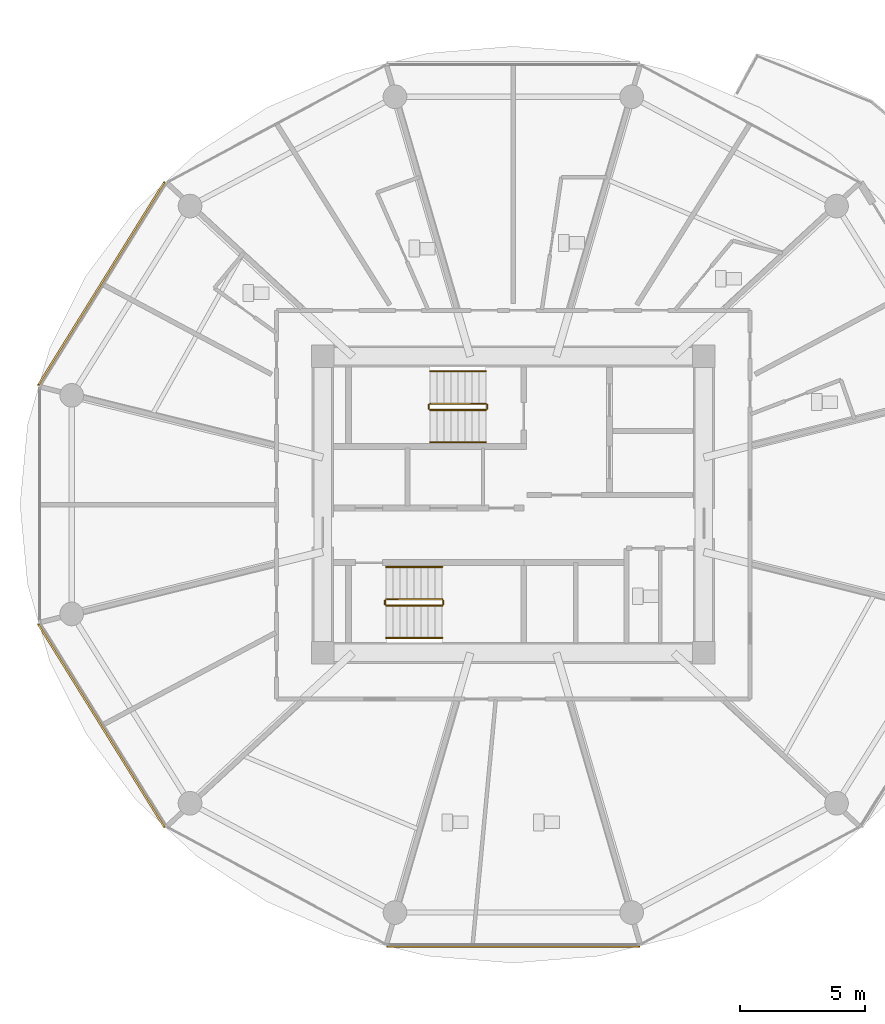
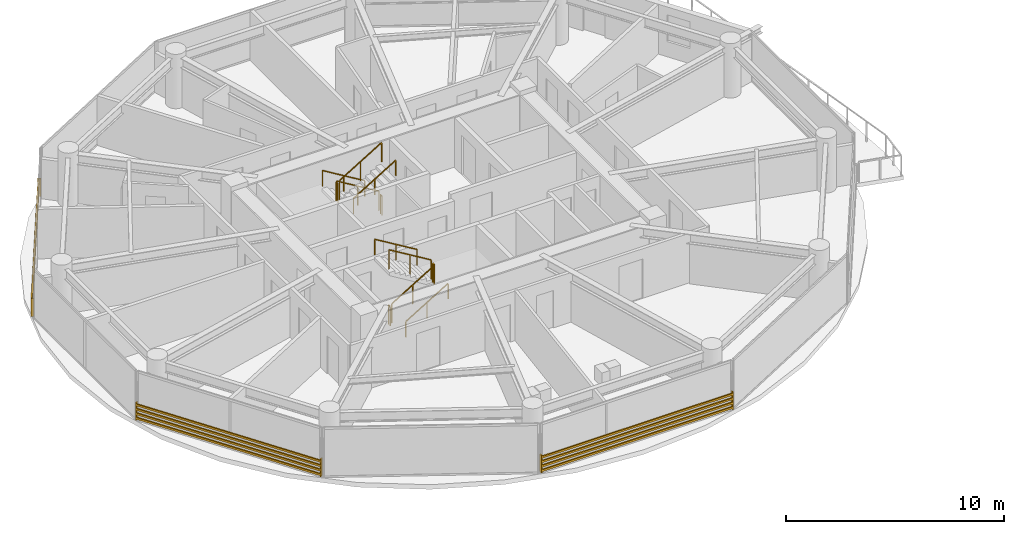
# One storey, part 22 of 26: 12 railings, 3 shading devices.
"""IFC4 building model written with IfcOpenShell, lengths in metres."""

from ifc_helpers import new_model, si_unit, direction, frame, origin, origin_2d, place, context, subcontext, project, spatial, rectangle, extrude, source, transform, mapped, material, type_object, type_shapes, element, save


model = new_model("IFC4")

# Units and contexts
model_context = context("Model", 3, precision=1e-05, world=origin(), true_north=direction((0.0, 1.0)))
body_context = subcontext(model_context, "Body", "Model", "MODEL_VIEW")
ifc_project = project(units=[si_unit("LENGTHUNIT", "METRE"), si_unit("AREAUNIT", "SQUARE_METRE"), si_unit("VOLUMEUNIT", "CUBIC_METRE"), si_unit("PLANEANGLEUNIT", "RADIAN"), si_unit("MASSUNIT", "GRAM", prefix="KILO")], contexts=[model_context])

# Site, building, storey
site_placement = place(None, origin())
site = spatial("IfcSite", under=ifc_project, at=site_placement, CompositionType="ELEMENT")
building_placement = place(site_placement, origin())
building = spatial("IfcBuilding", under=site, at=building_placement, Name="Norrkilde Senior Care Towers", CompositionType="ELEMENT")
storey_placement = place(building_placement, frame((0.0, 0.0, 67.35009765625)))
storey = spatial("IfcBuildingStorey", under=building, at=storey_placement, Name="L20", CompositionType="ELEMENT", Elevation=67.35009765625)

# Railings
ifc_material_1 = material(Name="Stainless Steel", Category="steel")
railing_type_1 = type_object("IfcRailingType", Name="Stair and Terrace Guardrail 1100", PredefinedType="GUARDRAIL", material=ifc_material_1)
railing_1_placement = place(storey_placement, frame((-29.10009765625, 4.050048828125, 0.16943359375)))
element("IfcRailing", 1, at=railing_1_placement, inside=storey, type_object=railing_type_1, Name="L20 ST-W1 stair guard 1", PredefinedType="GUARDRAIL", context=body_context, shape_type="SweptSolid", body=[
    extrude(rectangle(XDim=0.048095703125, YDim=0.048095703125, at=origin_2d()), frame((0.0, 0.0, 1.076171875), z_axis=(-0.855553338991, 0.0, 0.51771467445), x_axis=(0.0, -1.0, 0.0)), (0.0, 0.0, 1.0), 2.6181640625),
    extrude(rectangle(XDim=0.0419921875, YDim=0.0419921875, at=origin_2d()), origin(), (0.0, 0.0, 1.0), 1.050048828125),
    extrude(rectangle(XDim=0.0419921875, YDim=0.0419921875, at=origin_2d()), frame((-1.1201171875, 0.0, 0.677734375)), (0.0, 0.0, 1.0), 1.050048828125),
    extrude(rectangle(XDim=0.0419921875, YDim=0.0419921875, at=origin_2d()), frame((-2.239990234375, 0.0, 1.35546875)), (0.0, 0.0, 1.0), 1.050048828125),
])
railing_2_placement = place(storey_placement, frame((-31.389892578125, 4.0, 1.52490234375)))
element("IfcRailing", 2, at=railing_2_placement, inside=storey, type_object=railing_type_1, Name="L20 ST-W1 stair guard 2", PredefinedType="GUARDRAIL", context=body_context, shape_type="SweptSolid", body=[
    extrude(rectangle(XDim=0.048095703125, YDim=0.048095703125, at=origin_2d()), frame((0.0, 0.0, 1.076171875), z_axis=(0.0, -1.0, 0.0), x_axis=(1.0, 0.0, 0.0)), (0.0, 0.0, 1.0), 0.14990234375),
    extrude(rectangle(XDim=0.0419921875, YDim=0.0419921875, at=origin_2d()), origin(), (0.0, 0.0, 1.0), 1.050048828125),
    extrude(rectangle(XDim=0.0419921875, YDim=0.0419921875, at=origin_2d()), frame((0.0, -0.14990234375, 0.0)), (0.0, 0.0, 1.0), 1.050048828125),
])
railing_3_placement = place(storey_placement, frame((-31.340087890625, 3.800048828125, 1.6943359375)))
element("IfcRailing", 3, at=railing_3_placement, inside=storey, type_object=railing_type_1, Name="L20 ST-W1 stair guard 3", PredefinedType="GUARDRAIL", context=body_context, shape_type="SweptSolid", body=[
    extrude(rectangle(XDim=0.048095703125, YDim=0.048095703125, at=origin_2d()), frame((0.0, 0.0, 1.076171875), z_axis=(0.855553338991, 0.0, 0.51771467445), x_axis=(0.0, 1.0, 0.0)), (0.0, 0.0, 1.0), 2.6181640625),
    extrude(rectangle(XDim=0.0419921875, YDim=0.0419921875, at=origin_2d()), origin(), (0.0, 0.0, 1.0), 1.050048828125),
    extrude(rectangle(XDim=0.0419921875, YDim=0.0419921875, at=origin_2d()), frame((1.1201171875, 0.0, 0.677734375)), (0.0, 0.0, 1.0), 1.050048828125),
    extrude(rectangle(XDim=0.0419921875, YDim=0.0419921875, at=origin_2d()), frame((2.239990234375, 0.0, 1.35546875)), (0.0, 0.0, 1.0), 1.050048828125),
])
railing_4_placement = place(storey_placement, frame((-29.050048828125, 4.0, 0.0)))
element("IfcRailing", 4, at=railing_4_placement, inside=storey, type_object=railing_type_1, Name="L20 ST-W1 stair guard 4", PredefinedType="GUARDRAIL", context=body_context, shape_type="SweptSolid", body=[
    extrude(rectangle(XDim=0.048095703125, YDim=0.048095703125, at=origin_2d()), frame((0.0, 0.0, 1.076171875), z_axis=(0.0, -1.0, 0.0), x_axis=(1.0, 0.0, 0.0)), (0.0, 0.0, 1.0), 0.14990234375),
    extrude(rectangle(XDim=0.0419921875, YDim=0.0419921875, at=origin_2d()), origin(), (0.0, 0.0, 1.0), 1.050048828125),
    extrude(rectangle(XDim=0.0419921875, YDim=0.0419921875, at=origin_2d()), frame((0.0, -0.14990234375, 0.0)), (0.0, 0.0, 1.0), 1.050048828125),
])
railing_5_placement = place(storey_placement, frame((-33.10009765625, -4.050048828125, 0.16943359375)))
element("IfcRailing", 5, at=railing_5_placement, inside=storey, type_object=railing_type_1, Name="L20 ST-W2 stair guard 1", PredefinedType="GUARDRAIL", context=body_context, shape_type="SweptSolid", body=[
    extrude(rectangle(XDim=0.048095703125, YDim=0.048095703125, at=origin_2d()), frame((0.0, 0.0, 1.076171875), z_axis=(0.855553338991, 0.0, 0.51771467445), x_axis=(0.0, 1.0, 0.0)), (0.0, 0.0, 1.0), 2.6181640625),
    extrude(rectangle(XDim=0.0419921875, YDim=0.0419921875, at=origin_2d()), origin(), (0.0, 0.0, 1.0), 1.050048828125),
    extrude(rectangle(XDim=0.0419921875, YDim=0.0419921875, at=origin_2d()), frame((1.1201171875, 0.0, 0.677734375)), (0.0, 0.0, 1.0), 1.050048828125),
    extrude(rectangle(XDim=0.0419921875, YDim=0.0419921875, at=origin_2d()), frame((2.239990234375, 0.0, 1.35546875)), (0.0, 0.0, 1.0), 1.050048828125),
])
railing_6_placement = place(storey_placement, frame((-30.81005859375, -4.0, 1.52490234375)))
element("IfcRailing", 6, at=railing_6_placement, inside=storey, type_object=railing_type_1, Name="L20 ST-W2 stair guard 2", PredefinedType="GUARDRAIL", context=body_context, shape_type="SweptSolid", body=[
    extrude(rectangle(XDim=0.048095703125, YDim=0.048095703125, at=origin_2d()), frame((0.0, 0.0, 1.076171875), z_axis=(0.0, 1.0, 0.0), x_axis=(-1.0, 0.0, 0.0)), (0.0, 0.0, 1.0), 0.14990234375),
    extrude(rectangle(XDim=0.0419921875, YDim=0.0419921875, at=origin_2d()), origin(), (0.0, 0.0, 1.0), 1.050048828125),
    extrude(rectangle(XDim=0.0419921875, YDim=0.0419921875, at=origin_2d()), frame((0.0, 0.14990234375, 0.0)), (0.0, 0.0, 1.0), 1.050048828125),
])
railing_7_placement = place(storey_placement, frame((-30.860107421875, -3.800048828125, 1.6943359375)))
element("IfcRailing", 7, at=railing_7_placement, inside=storey, type_object=railing_type_1, Name="L20 ST-W2 stair guard 3", PredefinedType="GUARDRAIL", context=body_context, shape_type="SweptSolid", body=[
    extrude(rectangle(XDim=0.048095703125, YDim=0.048095703125, at=origin_2d()), frame((0.0, 0.0, 1.076171875), z_axis=(-0.855553338991, 0.0, 0.51771467445), x_axis=(0.0, -1.0, 0.0)), (0.0, 0.0, 1.0), 2.6181640625),
    extrude(rectangle(XDim=0.0419921875, YDim=0.0419921875, at=origin_2d()), origin(), (0.0, 0.0, 1.0), 1.050048828125),
    extrude(rectangle(XDim=0.0419921875, YDim=0.0419921875, at=origin_2d()), frame((-1.1201171875, 0.0, 0.677734375)), (0.0, 0.0, 1.0), 1.050048828125),
    extrude(rectangle(XDim=0.0419921875, YDim=0.0419921875, at=origin_2d()), frame((-2.239990234375, 0.0, 1.35546875)), (0.0, 0.0, 1.0), 1.050048828125),
])
railing_8_placement = place(storey_placement, frame((-33.14990234375, -4.0, 0.0)))
element("IfcRailing", 8, at=railing_8_placement, inside=storey, type_object=railing_type_1, Name="L20 ST-W2 stair guard 4", PredefinedType="GUARDRAIL", context=body_context, shape_type="SweptSolid", body=[
    extrude(rectangle(XDim=0.048095703125, YDim=0.048095703125, at=origin_2d()), frame((0.0, 0.0, 1.076171875), z_axis=(0.0, 1.0, 0.0), x_axis=(-1.0, 0.0, 0.0)), (0.0, 0.0, 1.0), 0.14990234375),
    extrude(rectangle(XDim=0.0419921875, YDim=0.0419921875, at=origin_2d()), origin(), (0.0, 0.0, 1.0), 1.050048828125),
    extrude(rectangle(XDim=0.0419921875, YDim=0.0419921875, at=origin_2d()), frame((0.0, 0.14990234375, 0.0)), (0.0, 0.0, 1.0), 1.050048828125),
])
ifc_material_2 = material(Name="Nordic Ash Timber", Category="wood")
railing_type_2 = type_object("IfcRailingType", Name="Wall and Stair Handrail 900", PredefinedType="HANDRAIL", material=ifc_material_2)
railing_9_placement = place(storey_placement, frame((-29.10009765625, 5.35009765625, 0.16943359375)))
element("IfcRailing", 9, at=railing_9_placement, inside=storey, type_object=railing_type_2, Name="L20 ST-W1 stair handrail 1", PredefinedType="HANDRAIL", context=body_context, shape_type="SweptSolid", body=[
    extrude(rectangle(XDim=0.048095703125, YDim=0.048095703125, at=origin_2d()), frame((0.0, 0.0, 0.8759765625), z_axis=(-0.855553338991, 0.0, 0.51771467445), x_axis=(0.0, -1.0, 0.0)), (0.0, 0.0, 1.0), 2.6181640625),
    extrude(rectangle(XDim=0.0419921875, YDim=0.0419921875, at=origin_2d()), origin(), (0.0, 0.0, 1.0), 0.849853515625),
    extrude(rectangle(XDim=0.0419921875, YDim=0.0419921875, at=origin_2d()), frame((-1.1201171875, 0.0, 0.677734375)), (0.0, 0.0, 1.0), 0.849853515625),
    extrude(rectangle(XDim=0.0419921875, YDim=0.0419921875, at=origin_2d()), frame((-2.239990234375, 0.0, 1.35546875)), (0.0, 0.0, 1.0), 0.849853515625),
])
for number, where, name in (
    (10, (-31.340087890625, 2.5, 1.6943359375), "L20 ST-W1 stair handrail 2"),
    (11, (-33.10009765625, -5.35009765625, 0.16943359375), "L20 ST-W2 stair handrail 1"),
):
    element("IfcRailing", number, at=place(storey_placement, frame(where)), inside=storey, type_object=railing_type_2, Name=name, PredefinedType="HANDRAIL", context=body_context, shape_type="SweptSolid", body=[
        extrude(rectangle(XDim=0.048095703125, YDim=0.048095703125, at=origin_2d()), frame((0.0, 0.0, 0.8759765625), z_axis=(0.855553338991, 0.0, 0.51771467445), x_axis=(0.0, 1.0, 0.0)), (0.0, 0.0, 1.0), 2.6181640625),
        extrude(rectangle(XDim=0.0419921875, YDim=0.0419921875, at=origin_2d()), origin(), (0.0, 0.0, 1.0), 0.849853515625),
        extrude(rectangle(XDim=0.0419921875, YDim=0.0419921875, at=origin_2d()), frame((1.1201171875, 0.0, 0.677734375)), (0.0, 0.0, 1.0), 0.849853515625),
        extrude(rectangle(XDim=0.0419921875, YDim=0.0419921875, at=origin_2d()), frame((2.239990234375, 0.0, 1.35546875)), (0.0, 0.0, 1.0), 0.849853515625),
    ])
railing_10_placement = place(storey_placement, frame((-30.860107421875, -2.5, 1.6943359375)))
element("IfcRailing", 12, at=railing_10_placement, inside=storey, type_object=railing_type_2, Name="L20 ST-W2 stair handrail 2", PredefinedType="HANDRAIL", context=body_context, shape_type="SweptSolid", body=[
    extrude(rectangle(XDim=0.048095703125, YDim=0.048095703125, at=origin_2d()), frame((0.0, 0.0, 0.8759765625), z_axis=(-0.855553338991, 0.0, 0.51771467445), x_axis=(0.0, -1.0, 0.0)), (0.0, 0.0, 1.0), 2.6181640625),
    extrude(rectangle(XDim=0.0419921875, YDim=0.0419921875, at=origin_2d()), origin(), (0.0, 0.0, 1.0), 0.849853515625),
    extrude(rectangle(XDim=0.0419921875, YDim=0.0419921875, at=origin_2d()), frame((-1.1201171875, 0.0, 0.677734375)), (0.0, 0.0, 1.0), 0.849853515625),
    extrude(rectangle(XDim=0.0419921875, YDim=0.0419921875, at=origin_2d()), frame((-2.239990234375, 0.0, 1.35546875)), (0.0, 0.0, 1.0), 0.849853515625),
])

# Shading devices
ifc_material_3 = material(Name="Architectural Terracotta", Category="masonry")
shading_device_type = type_object("IfcShadingDeviceType", Name="Horizontal Terracotta Baguette Rack", PredefinedType="USERDEFINED", material=ifc_material_3)
shared_shape_1 = source(origin(), body_context, "Body", "SweptSolid", [
    extrude(rectangle(XDim=0.070068359375, YDim=0.110107421875, at=origin_2d()), frame((0.0, 0.090087890625, 0.125), z_axis=(1.0, 0.0, 0.0), x_axis=(0.0, 1.0, 0.0)), (0.0, 0.0, 1.0), 9.64892578125),
    extrude(rectangle(XDim=0.070068359375, YDim=0.110107421875, at=origin_2d()), frame((0.0, 0.090087890625, 0.375), z_axis=(1.0, 0.0, 0.0), x_axis=(0.0, 1.0, 0.0)), (0.0, 0.0, 1.0), 9.64892578125),
    extrude(rectangle(XDim=0.070068359375, YDim=0.110107421875, at=origin_2d()), frame((0.0, 0.090087890625, 0.625), z_axis=(1.0, 0.0, 0.0), x_axis=(0.0, 1.0, 0.0)), (0.0, 0.0, 1.0), 9.64892578125),
    extrude(rectangle(XDim=0.070068359375, YDim=0.110107421875, at=origin_2d()), frame((0.0, 0.090087890625, 0.875), z_axis=(1.0, 0.0, 0.0), x_axis=(0.0, 1.0, 0.0)), (0.0, 0.0, 1.0), 9.64892578125),
    extrude(rectangle(XDim=0.050048828125, YDim=0.1552734375, at=origin_2d()), frame((0.02490234375, 0.047607421875, 0.0)), (0.0, 0.0, 1.0), 1.0),
    extrude(rectangle(XDim=0.050048828125, YDim=0.1552734375, at=origin_2d()), frame((9.6240234375, 0.047607421875, 0.0)), (0.0, 0.0, 1.0), 1.0),
])
for number, where, z_axis, x_axis, name in (
    (13, (-47.009521484375, 4.731201171875, 0.079833984375), (0.0, 0.0, 1.0), (0.527908506655, 0.849299124538, 0.0), "L20 Drum W Terracotta Baguette Screen 04"),
    (14, (-41.915771484375, -12.926025390625, 0.079833984375), (0.0, 0.0, 1.0), (-0.527908506655, 0.849299124538, 0.0), "L20 Drum W Terracotta Baguette Screen 06"),
):
    element("IfcShadingDevice", number, at=place(storey_placement, frame(where, z_axis=z_axis, x_axis=x_axis)), inside=storey, type_object=shading_device_type, Name=name, ObjectType="BAGUETTE", PredefinedType="USERDEFINED", context=body_context, shape_type="MappedRepresentation", body=[
        mapped(shared_shape_1, transform((0.0, 0.0, 0.0), x_axis=(1.0, 0.0, 0.0), y_axis=(0.0, 1.0, 0.0), z_axis=(0.0, 0.0, 1.0), scale=1.0)),
    ])
shared_shape_2 = source(origin(), body_context, "Body", "SweptSolid", [
    extrude(rectangle(XDim=0.070068359375, YDim=0.110107421875, at=origin_2d()), frame((0.0, 0.090087890625, 0.125), z_axis=(1.0, 0.0, 0.0), x_axis=(0.0, 1.0, 0.0)), (0.0, 0.0, 1.0), 10.18701171875),
    extrude(rectangle(XDim=0.070068359375, YDim=0.110107421875, at=origin_2d()), frame((0.0, 0.090087890625, 0.375), z_axis=(1.0, 0.0, 0.0), x_axis=(0.0, 1.0, 0.0)), (0.0, 0.0, 1.0), 10.18701171875),
    extrude(rectangle(XDim=0.070068359375, YDim=0.110107421875, at=origin_2d()), frame((0.0, 0.090087890625, 0.625), z_axis=(1.0, 0.0, 0.0), x_axis=(0.0, 1.0, 0.0)), (0.0, 0.0, 1.0), 10.18701171875),
    extrude(rectangle(XDim=0.070068359375, YDim=0.110107421875, at=origin_2d()), frame((0.0, 0.090087890625, 0.875), z_axis=(1.0, 0.0, 0.0), x_axis=(0.0, 1.0, 0.0)), (0.0, 0.0, 1.0), 10.18701171875),
    extrude(rectangle(XDim=0.050048828125, YDim=0.1552734375, at=origin_2d()), frame((0.02490234375, 0.047607421875, 0.0)), (0.0, 0.0, 1.0), 1.0),
    extrude(rectangle(XDim=0.050048828125, YDim=0.1552734375, at=origin_2d()), frame((10.162109375, 0.047607421875, 0.0)), (0.0, 0.0, 1.0), 1.0),
])
type_shapes(shading_device_type, [shared_shape_1, shared_shape_2])
shading_device_placement = place(storey_placement, frame((-22.906494140625, -17.6572265625, 0.079833984375), z_axis=(0.0, 0.0, 1.0), x_axis=(-1.0, 0.0, 0.0)))
element("IfcShadingDevice", 15, at=shading_device_placement, inside=storey, type_object=shading_device_type, Name="L20 Drum W Terracotta Baguette Screen 08", ObjectType="BAGUETTE", PredefinedType="USERDEFINED", context=body_context, shape_type="MappedRepresentation", body=[
    mapped(shared_shape_2, transform((0.0, 0.0, 0.0), x_axis=(1.0, 0.0, 0.0), y_axis=(0.0, 1.0, 0.0), z_axis=(0.0, 0.0, 1.0), scale=1.0)),
])

save(model, "model.ifc")
